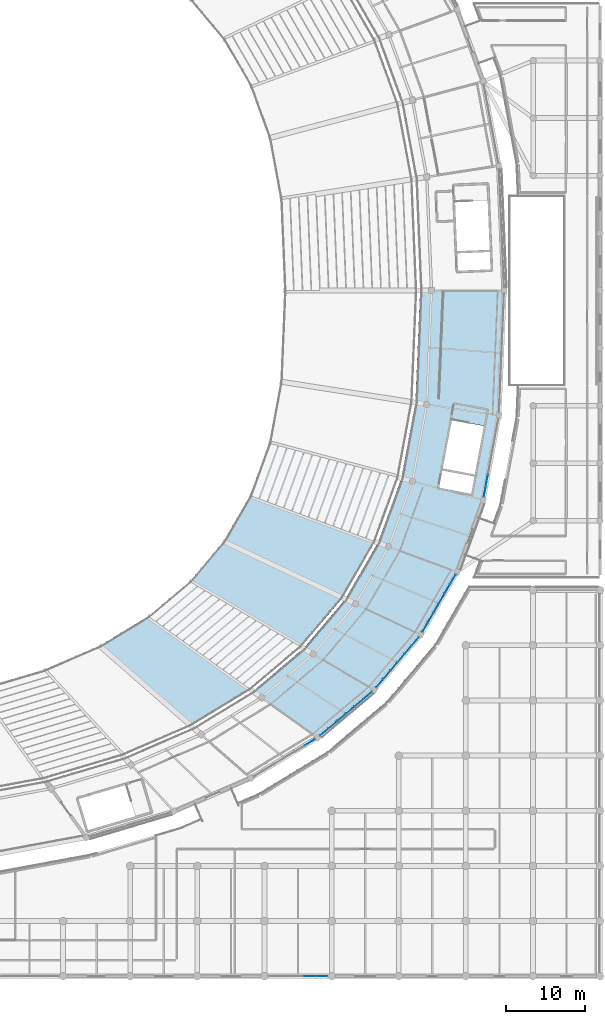
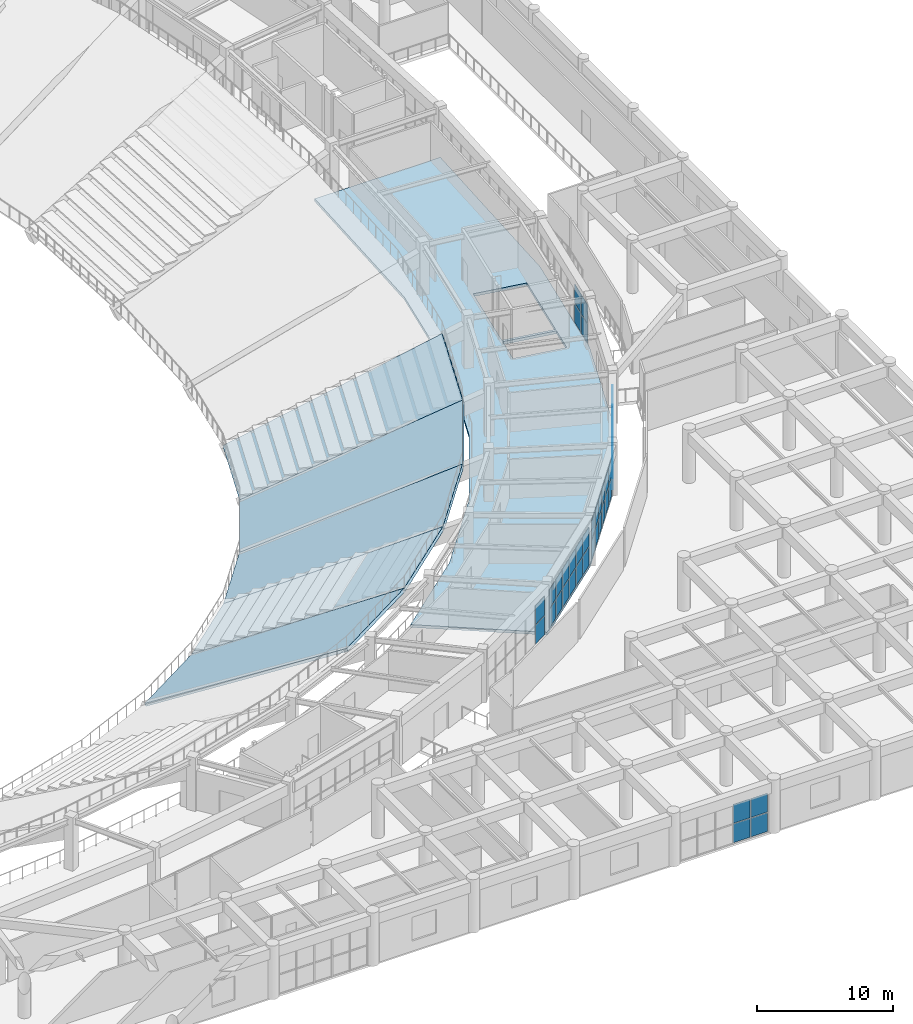
# One storey, part 81 of 137: 46 plates, 6 slabs, 6 elements without a shape of their own.
"""IFC4 building model written with IfcOpenShell, lengths in metres."""

from ifc_helpers import new_model, si_unit, direction, frame, origin, origin_2d, place, context, subcontext, project, spatial, polyline, rectangle, outline, extrude, material, layer, layer_set, type_object, element, aggregate, save


model = new_model("IFC4")

# Units and contexts
model_context = context("Model", 3, precision=1e-05, world=origin(), true_north=direction((0.0, 1.0)))
body_context = subcontext(model_context, "Body", "Model", "MODEL_VIEW")
ifc_project = project(units=[si_unit("LENGTHUNIT", "METRE"), si_unit("AREAUNIT", "SQUARE_METRE"), si_unit("VOLUMEUNIT", "CUBIC_METRE"), si_unit("PLANEANGLEUNIT", "RADIAN"), si_unit("MASSUNIT", "GRAM", prefix="KILO")], contexts=[model_context])

# Site, building, storey
site_placement = place(None, origin())
site = spatial("IfcSite", under=ifc_project, at=site_placement, CompositionType="ELEMENT")
building_placement = place(site_placement, origin())
building = spatial("IfcBuilding", under=site, at=building_placement, Name="Mphavela Belvedere Stadium", CompositionType="ELEMENT")
storey_placement = place(building_placement, frame((0.0, 0.0, 19.199951171875)))
storey = spatial("IfcBuildingStorey", under=building, at=storey_placement, Name="L04", CompositionType="ELEMENT", Elevation=19.199951171875)

# Curtain wall, plates
ifc_material_1 = material(Name="Anodised bronze unitised curtain wall framing")
ifc_layer_1 = layer(ifc_material_1, 0.199951171875)
ifc_layer_set_1 = layer_set([ifc_layer_1], Name="Anodised bronze unitised curtain wall framing")
curtain_wall_type_1 = type_object("IfcCurtainWallType", Name="CW-UNIT-05", PredefinedType="USERDEFINED", material=ifc_layer_set_1)
curtain_wall_1_placement = place(storey_placement, origin())
curtain_wall_1 = element("IfcCurtainWall", 1, at=curtain_wall_1_placement, inside=storey, type_object=curtain_wall_type_1, Name="Belvedere colonnade curtain wall L04-42", ObjectType="UNITISED CURTAIN WALL", PredefinedType="USERDEFINED")
ifc_material_2 = material(Name="Solar-control double glazing", Category="glass")
ifc_layer_2 = layer(ifc_material_2, 0.031982421875)
ifc_layer_set_2 = layer_set([ifc_layer_2], Name="Solar-control double glazing")
plate_type = type_object("IfcPlateType", Name="CWP-SOLAR-GLASS", PredefinedType="CURTAIN_PANEL", material=ifc_layer_set_2)
plate_1_placement = place(storey_placement, frame((193.18896484375, 29.697509765625, 0.06005859375), z_axis=(0.0, 0.0, 1.0), x_axis=(0.854327323226, 0.519735341101, 0.0)))
plate_1 = element("IfcPlate", 2, at=plate_1_placement, type_object=plate_type, Name="CW-05 panel 6.1", PredefinedType="CURTAIN_PANEL", context=body_context, shape_type="SweptSolid", body=[
    extrude(rectangle(XDim=1.436767578125, YDim=0.031982421875, at=origin_2d()), origin(), (0.0, 0.0, 1.0), 1.695068359375),
])
plate_2_placement = place(storey_placement, frame((193.18896484375, 29.697509765625, 1.81494140625), z_axis=(0.0, 0.0, 1.0), x_axis=(0.854327323226, 0.519735341101, 0.0)))
plate_2 = element("IfcPlate", 3, at=plate_2_placement, type_object=plate_type, Name="CW-05 panel 6.2", PredefinedType="CURTAIN_PANEL", context=body_context, shape_type="SweptSolid", body=[
    extrude(rectangle(XDim=1.436767578125, YDim=0.031982421875, at=origin_2d()), origin(), (0.0, 0.0, 1.0), 1.695068359375),
])
aggregate(curtain_wall_1, [plate_1, plate_2])

ifc_material_3 = material(Name="Anodised bronze unitised curtain wall framing")
ifc_layer_3 = layer(ifc_material_3, 0.205078125)
ifc_layer_set_3 = layer_set([ifc_layer_3], Name="Anodised bronze unitised curtain wall framing")
curtain_wall_type_2 = type_object("IfcCurtainWallType", Name="CW-UNIT-06", PredefinedType="USERDEFINED", material=ifc_layer_set_3)
curtain_wall_2_placement = place(storey_placement, origin())
curtain_wall_2 = element("IfcCurtainWall", 4, at=curtain_wall_2_placement, inside=storey, type_object=curtain_wall_type_2, Name="Belvedere colonnade curtain wall L04-43", ObjectType="UNITISED CURTAIN WALL", PredefinedType="USERDEFINED")
plate_3_placement = place(storey_placement, frame((194.98828125, 30.988037109375, 0.06005859375), z_axis=(0.0, 0.0, 1.0), x_axis=(0.764253429051, 0.644916038089, 0.0)))
plate_3 = element("IfcPlate", 5, at=plate_3_placement, type_object=plate_type, Name="CW-06 panel 1.1", PredefinedType="CURTAIN_PANEL", context=body_context, shape_type="SweptSolid", body=[
    extrude(rectangle(XDim=1.352783203125, YDim=0.031982421875, at=origin_2d()), origin(), (0.0, 0.0, 1.0), 1.695068359375),
])
plate_4_placement = place(storey_placement, frame((194.98828125, 30.988037109375, 1.81494140625), z_axis=(0.0, 0.0, 1.0), x_axis=(0.764253429051, 0.644916038089, 0.0)))
plate_4 = element("IfcPlate", 6, at=plate_4_placement, type_object=plate_type, Name="CW-06 panel 1.2", PredefinedType="CURTAIN_PANEL", context=body_context, shape_type="SweptSolid", body=[
    extrude(rectangle(XDim=1.352783203125, YDim=0.031982421875, at=origin_2d()), origin(), (0.0, 0.0, 1.0), 1.695068359375),
])
plate_5_placement = place(storey_placement, frame((196.084228515625, 31.912841796875, 0.06005859375), z_axis=(0.0, 0.0, 1.0), x_axis=(0.764253429051, 0.644916038089, 0.0)))
plate_5 = element("IfcPlate", 7, at=plate_5_placement, type_object=plate_type, Name="CW-06 panel 2.1", PredefinedType="CURTAIN_PANEL", context=body_context, shape_type="SweptSolid", body=[
    extrude(rectangle(XDim=1.38525390625, YDim=0.031982421875, at=origin_2d()), origin(), (0.0, 0.0, 1.0), 1.695068359375),
])
plate_6_placement = place(storey_placement, frame((196.084228515625, 31.912841796875, 1.81494140625), z_axis=(0.0, 0.0, 1.0), x_axis=(0.764253429051, 0.644916038089, 0.0)))
plate_6 = element("IfcPlate", 8, at=plate_6_placement, type_object=plate_type, Name="CW-06 panel 2.2", PredefinedType="CURTAIN_PANEL", context=body_context, shape_type="SweptSolid", body=[
    extrude(rectangle(XDim=1.38525390625, YDim=0.031982421875, at=origin_2d()), origin(), (0.0, 0.0, 1.0), 1.695068359375),
])
plate_7_placement = place(storey_placement, frame((197.192626953125, 32.848388671875, 0.06005859375), z_axis=(0.0, 0.0, 1.0), x_axis=(0.764253429051, 0.644916038089, 0.0)))
plate_7 = element("IfcPlate", 9, at=plate_7_placement, type_object=plate_type, Name="CW-06 panel 3.1", PredefinedType="CURTAIN_PANEL", context=body_context, shape_type="SweptSolid", body=[
    extrude(rectangle(XDim=1.38525390625, YDim=0.031982421875, at=origin_2d()), origin(), (0.0, 0.0, 1.0), 1.695068359375),
])
plate_8_placement = place(storey_placement, frame((197.192626953125, 32.848388671875, 1.81494140625), z_axis=(0.0, 0.0, 1.0), x_axis=(0.764253429051, 0.644916038089, 0.0)))
plate_8 = element("IfcPlate", 10, at=plate_8_placement, type_object=plate_type, Name="CW-06 panel 3.2", PredefinedType="CURTAIN_PANEL", context=body_context, shape_type="SweptSolid", body=[
    extrude(rectangle(XDim=1.38525390625, YDim=0.031982421875, at=origin_2d()), origin(), (0.0, 0.0, 1.0), 1.695068359375),
])
plate_9_placement = place(storey_placement, frame((198.30126953125, 33.78369140625, 0.06005859375), z_axis=(0.0, 0.0, 1.0), x_axis=(0.764253429051, 0.644916038089, 0.0)))
plate_9 = element("IfcPlate", 11, at=plate_9_placement, type_object=plate_type, Name="CW-06 panel 4.1", PredefinedType="CURTAIN_PANEL", context=body_context, shape_type="SweptSolid", body=[
    extrude(rectangle(XDim=1.38525390625, YDim=0.031982421875, at=origin_2d()), origin(), (0.0, 0.0, 1.0), 1.695068359375),
])
plate_10_placement = place(storey_placement, frame((198.30126953125, 33.78369140625, 1.81494140625), z_axis=(0.0, 0.0, 1.0), x_axis=(0.764253429051, 0.644916038089, 0.0)))
plate_10 = element("IfcPlate", 12, at=plate_10_placement, type_object=plate_type, Name="CW-06 panel 4.2", PredefinedType="CURTAIN_PANEL", context=body_context, shape_type="SweptSolid", body=[
    extrude(rectangle(XDim=1.38525390625, YDim=0.031982421875, at=origin_2d()), origin(), (0.0, 0.0, 1.0), 1.695068359375),
])
plate_11_placement = place(storey_placement, frame((199.40966796875, 34.718994140625, 0.06005859375), z_axis=(0.0, 0.0, 1.0), x_axis=(0.764253429051, 0.644916038089, 0.0)))
plate_11 = element("IfcPlate", 13, at=plate_11_placement, type_object=plate_type, Name="CW-06 panel 5.1", PredefinedType="CURTAIN_PANEL", context=body_context, shape_type="SweptSolid", body=[
    extrude(rectangle(XDim=1.38525390625, YDim=0.031982421875, at=origin_2d()), origin(), (0.0, 0.0, 1.0), 1.695068359375),
])
plate_12_placement = place(storey_placement, frame((199.40966796875, 34.718994140625, 1.81494140625), z_axis=(0.0, 0.0, 1.0), x_axis=(0.764253429051, 0.644916038089, 0.0)))
plate_12 = element("IfcPlate", 14, at=plate_12_placement, type_object=plate_type, Name="CW-06 panel 5.2", PredefinedType="CURTAIN_PANEL", context=body_context, shape_type="SweptSolid", body=[
    extrude(rectangle(XDim=1.38525390625, YDim=0.031982421875, at=origin_2d()), origin(), (0.0, 0.0, 1.0), 1.695068359375),
])
plate_13_placement = place(storey_placement, frame((200.505615234375, 35.64404296875, 0.06005859375), z_axis=(0.0, 0.0, 1.0), x_axis=(0.764253429051, 0.644916038089, 0.0)))
plate_13 = element("IfcPlate", 15, at=plate_13_placement, type_object=plate_type, Name="CW-06 panel 6.1", PredefinedType="CURTAIN_PANEL", context=body_context, shape_type="SweptSolid", body=[
    extrude(rectangle(XDim=1.352783203125, YDim=0.031982421875, at=origin_2d()), origin(), (0.0, 0.0, 1.0), 1.695068359375),
])
plate_14_placement = place(storey_placement, frame((200.505615234375, 35.64404296875, 1.81494140625), z_axis=(0.0, 0.0, 1.0), x_axis=(0.764253429051, 0.644916038089, 0.0)))
plate_14 = element("IfcPlate", 16, at=plate_14_placement, type_object=plate_type, Name="CW-06 panel 6.2", PredefinedType="CURTAIN_PANEL", context=body_context, shape_type="SweptSolid", body=[
    extrude(rectangle(XDim=1.352783203125, YDim=0.031982421875, at=origin_2d()), origin(), (0.0, 0.0, 1.0), 1.695068359375),
])
aggregate(curtain_wall_2, [plate_3, plate_4, plate_5, plate_6, plate_7, plate_8, plate_9, plate_10, plate_11, plate_12, plate_13, plate_14])

ifc_material_4 = material(Name="Anodised bronze unitised curtain wall framing")
ifc_layer_4 = layer(ifc_material_4, 0.179931640625)
ifc_layer_set_4 = layer_set([ifc_layer_4], Name="Anodised bronze unitised curtain wall framing")
curtain_wall_type_3 = type_object("IfcCurtainWallType", Name="CW-UNIT-01", PredefinedType="USERDEFINED", material=ifc_layer_set_4)
curtain_wall_3_placement = place(storey_placement, origin())
curtain_wall_3 = element("IfcCurtainWall", 17, at=curtain_wall_3_placement, inside=storey, type_object=curtain_wall_type_3, Name="Belvedere colonnade curtain wall L04-44", ObjectType="UNITISED CURTAIN WALL", PredefinedType="USERDEFINED")
plate_15_placement = place(storey_placement, frame((202.02783203125, 37.1630859375, 0.06005859375), z_axis=(0.0, 0.0, 1.0), x_axis=(0.645175294774, 0.764034579723, 0.0)))
plate_15 = element("IfcPlate", 18, at=plate_15_placement, type_object=plate_type, Name="CW-01 panel 1.1", PredefinedType="CURTAIN_PANEL", context=body_context, shape_type="SweptSolid", body=[
    extrude(rectangle(XDim=1.311767578125, YDim=0.031982421875, at=origin_2d()), origin(), (0.0, 0.0, 1.0), 1.695068359375),
])
plate_16_placement = place(storey_placement, frame((202.02783203125, 37.1630859375, 1.81494140625), z_axis=(0.0, 0.0, 1.0), x_axis=(0.645175294774, 0.764034579723, 0.0)))
plate_16 = element("IfcPlate", 19, at=plate_16_placement, type_object=plate_type, Name="CW-01 panel 1.2", PredefinedType="CURTAIN_PANEL", context=body_context, shape_type="SweptSolid", body=[
    extrude(rectangle(XDim=1.311767578125, YDim=0.031982421875, at=origin_2d()), origin(), (0.0, 0.0, 1.0), 1.695068359375),
])
plate_17_placement = place(storey_placement, frame((202.926513671875, 38.2275390625, 0.06005859375), z_axis=(0.0, 0.0, 1.0), x_axis=(0.645175294774, 0.764034579723, 0.0)))
plate_17 = element("IfcPlate", 20, at=plate_17_placement, type_object=plate_type, Name="CW-01 panel 2.1", PredefinedType="CURTAIN_PANEL", context=body_context, shape_type="SweptSolid", body=[
    extrude(rectangle(XDim=1.34423828125, YDim=0.031982421875, at=origin_2d()), origin(), (0.0, 0.0, 1.0), 1.695068359375),
])
plate_18_placement = place(storey_placement, frame((202.926513671875, 38.2275390625, 1.81494140625), z_axis=(0.0, 0.0, 1.0), x_axis=(0.645175294774, 0.764034579723, 0.0)))
plate_18 = element("IfcPlate", 21, at=plate_18_placement, type_object=plate_type, Name="CW-01 panel 2.2", PredefinedType="CURTAIN_PANEL", context=body_context, shape_type="SweptSolid", body=[
    extrude(rectangle(XDim=1.34423828125, YDim=0.031982421875, at=origin_2d()), origin(), (0.0, 0.0, 1.0), 1.695068359375),
])
plate_19_placement = place(storey_placement, frame((203.835693359375, 39.30419921875, 0.06005859375), z_axis=(0.0, 0.0, 1.0), x_axis=(0.645175294774, 0.764034579723, 0.0)))
plate_19 = element("IfcPlate", 22, at=plate_19_placement, type_object=plate_type, Name="CW-01 panel 3.1", PredefinedType="CURTAIN_PANEL", context=body_context, shape_type="SweptSolid", body=[
    extrude(rectangle(XDim=1.34423828125, YDim=0.031982421875, at=origin_2d()), origin(), (0.0, 0.0, 1.0), 1.695068359375),
])
plate_20_placement = place(storey_placement, frame((203.835693359375, 39.30419921875, 1.81494140625), z_axis=(0.0, 0.0, 1.0), x_axis=(0.645175294774, 0.764034579723, 0.0)))
plate_20 = element("IfcPlate", 23, at=plate_20_placement, type_object=plate_type, Name="CW-01 panel 3.2", PredefinedType="CURTAIN_PANEL", context=body_context, shape_type="SweptSolid", body=[
    extrude(rectangle(XDim=1.34423828125, YDim=0.031982421875, at=origin_2d()), origin(), (0.0, 0.0, 1.0), 1.695068359375),
])
plate_21_placement = place(storey_placement, frame((204.7451171875, 40.380859375, 0.06005859375), z_axis=(0.0, 0.0, 1.0), x_axis=(0.645175294774, 0.764034579723, 0.0)))
plate_21 = element("IfcPlate", 24, at=plate_21_placement, type_object=plate_type, Name="CW-01 panel 4.1", PredefinedType="CURTAIN_PANEL", context=body_context, shape_type="SweptSolid", body=[
    extrude(rectangle(XDim=1.34423828125, YDim=0.031982421875, at=origin_2d()), origin(), (0.0, 0.0, 1.0), 1.695068359375),
])
plate_22_placement = place(storey_placement, frame((204.7451171875, 40.380859375, 1.81494140625), z_axis=(0.0, 0.0, 1.0), x_axis=(0.645175294774, 0.764034579723, 0.0)))
plate_22 = element("IfcPlate", 25, at=plate_22_placement, type_object=plate_type, Name="CW-01 panel 4.2", PredefinedType="CURTAIN_PANEL", context=body_context, shape_type="SweptSolid", body=[
    extrude(rectangle(XDim=1.34423828125, YDim=0.031982421875, at=origin_2d()), origin(), (0.0, 0.0, 1.0), 1.695068359375),
])
plate_23_placement = place(storey_placement, frame((205.654296875, 41.45751953125, 0.06005859375), z_axis=(0.0, 0.0, 1.0), x_axis=(0.645175294774, 0.764034579723, 0.0)))
plate_23 = element("IfcPlate", 26, at=plate_23_placement, type_object=plate_type, Name="CW-01 panel 5.1", PredefinedType="CURTAIN_PANEL", context=body_context, shape_type="SweptSolid", body=[
    extrude(rectangle(XDim=1.34423828125, YDim=0.031982421875, at=origin_2d()), origin(), (0.0, 0.0, 1.0), 1.695068359375),
])
plate_24_placement = place(storey_placement, frame((205.654296875, 41.45751953125, 1.81494140625), z_axis=(0.0, 0.0, 1.0), x_axis=(0.645175294774, 0.764034579723, 0.0)))
plate_24 = element("IfcPlate", 27, at=plate_24_placement, type_object=plate_type, Name="CW-01 panel 5.2", PredefinedType="CURTAIN_PANEL", context=body_context, shape_type="SweptSolid", body=[
    extrude(rectangle(XDim=1.34423828125, YDim=0.031982421875, at=origin_2d()), origin(), (0.0, 0.0, 1.0), 1.695068359375),
])
plate_25_placement = place(storey_placement, frame((206.552978515625, 42.521728515625, 0.06005859375), z_axis=(0.0, 0.0, 1.0), x_axis=(0.645175294774, 0.764034579723, 0.0)))
plate_25 = element("IfcPlate", 28, at=plate_25_placement, type_object=plate_type, Name="CW-01 panel 6.1", PredefinedType="CURTAIN_PANEL", context=body_context, shape_type="SweptSolid", body=[
    extrude(rectangle(XDim=1.311767578125, YDim=0.031982421875, at=origin_2d()), origin(), (0.0, 0.0, 1.0), 1.695068359375),
])
plate_26_placement = place(storey_placement, frame((206.552978515625, 42.521728515625, 1.81494140625), z_axis=(0.0, 0.0, 1.0), x_axis=(0.645175294774, 0.764034579723, 0.0)))
plate_26 = element("IfcPlate", 29, at=plate_26_placement, type_object=plate_type, Name="CW-01 panel 6.2", PredefinedType="CURTAIN_PANEL", context=body_context, shape_type="SweptSolid", body=[
    extrude(rectangle(XDim=1.311767578125, YDim=0.031982421875, at=origin_2d()), origin(), (0.0, 0.0, 1.0), 1.695068359375),
])
aggregate(curtain_wall_3, [plate_15, plate_16, plate_17, plate_18, plate_19, plate_20, plate_21, plate_22, plate_23, plate_24, plate_25, plate_26])

ifc_material_5 = material(Name="Anodised bronze unitised curtain wall framing")
ifc_layer_5 = layer(ifc_material_5, 0.18505859375)
ifc_layer_set_5 = layer_set([ifc_layer_5], Name="Anodised bronze unitised curtain wall framing")
curtain_wall_type_4 = type_object("IfcCurtainWallType", Name="CW-UNIT-02", PredefinedType="USERDEFINED", material=ifc_layer_set_5)
curtain_wall_4_placement = place(storey_placement, origin())
curtain_wall_4 = element("IfcCurtainWall", 30, at=curtain_wall_4_placement, inside=storey, type_object=curtain_wall_type_4, Name="Belvedere colonnade curtain wall L04-45", ObjectType="UNITISED CURTAIN WALL", PredefinedType="USERDEFINED")
plate_27_placement = place(storey_placement, frame((207.7802734375, 44.2685546875, 0.06005859375), z_axis=(0.0, 0.0, 1.0), x_axis=(0.500555998906, 0.865704159606, 0.0)))
plate_27 = element("IfcPlate", 31, at=plate_27_placement, type_object=plate_type, Name="CW-02 panel 1.1", PredefinedType="CURTAIN_PANEL", context=body_context, shape_type="SweptSolid", body=[
    extrude(rectangle(XDim=1.32275390625, YDim=0.031982421875, at=origin_2d()), origin(), (0.0, 0.0, 1.0), 1.695068359375),
])
plate_28_placement = place(storey_placement, frame((207.7802734375, 44.2685546875, 1.81494140625), z_axis=(0.0, 0.0, 1.0), x_axis=(0.500555998906, 0.865704159606, 0.0)))
plate_28 = element("IfcPlate", 32, at=plate_28_placement, type_object=plate_type, Name="CW-02 panel 1.2", PredefinedType="CURTAIN_PANEL", context=body_context, shape_type="SweptSolid", body=[
    extrude(rectangle(XDim=1.32275390625, YDim=0.031982421875, at=origin_2d()), origin(), (0.0, 0.0, 1.0), 1.695068359375),
])
plate_29_placement = place(storey_placement, frame((208.48291015625, 45.48388671875, 0.06005859375), z_axis=(0.0, 0.0, 1.0), x_axis=(0.500555998906, 0.865704159606, 0.0)))
plate_29 = element("IfcPlate", 33, at=plate_29_placement, type_object=plate_type, Name="CW-02 panel 2.1", PredefinedType="CURTAIN_PANEL", context=body_context, shape_type="SweptSolid", body=[
    extrude(rectangle(XDim=1.355224609375, YDim=0.031982421875, at=origin_2d()), origin(), (0.0, 0.0, 1.0), 1.695068359375),
])
plate_30_placement = place(storey_placement, frame((208.48291015625, 45.48388671875, 1.81494140625), z_axis=(0.0, 0.0, 1.0), x_axis=(0.500555998906, 0.865704159606, 0.0)))
plate_30 = element("IfcPlate", 34, at=plate_30_placement, type_object=plate_type, Name="CW-02 panel 2.2", PredefinedType="CURTAIN_PANEL", context=body_context, shape_type="SweptSolid", body=[
    extrude(rectangle(XDim=1.355224609375, YDim=0.031982421875, at=origin_2d()), origin(), (0.0, 0.0, 1.0), 1.695068359375),
])
plate_31_placement = place(storey_placement, frame((209.19384765625, 46.71337890625, 0.06005859375), z_axis=(0.0, 0.0, 1.0), x_axis=(0.500555998906, 0.865704159606, 0.0)))
plate_31 = element("IfcPlate", 35, at=plate_31_placement, type_object=plate_type, Name="CW-02 panel 3.1", PredefinedType="CURTAIN_PANEL", context=body_context, shape_type="SweptSolid", body=[
    extrude(rectangle(XDim=1.355224609375, YDim=0.031982421875, at=origin_2d()), origin(), (0.0, 0.0, 1.0), 1.695068359375),
])
plate_32_placement = place(storey_placement, frame((209.19384765625, 46.71337890625, 1.81494140625), z_axis=(0.0, 0.0, 1.0), x_axis=(0.500555998906, 0.865704159606, 0.0)))
plate_32 = element("IfcPlate", 36, at=plate_32_placement, type_object=plate_type, Name="CW-02 panel 3.2", PredefinedType="CURTAIN_PANEL", context=body_context, shape_type="SweptSolid", body=[
    extrude(rectangle(XDim=1.355224609375, YDim=0.031982421875, at=origin_2d()), origin(), (0.0, 0.0, 1.0), 1.695068359375),
])
plate_33_placement = place(storey_placement, frame((209.90478515625, 47.94287109375, 0.06005859375), z_axis=(0.0, 0.0, 1.0), x_axis=(0.500555998906, 0.865704159606, 0.0)))
plate_33 = element("IfcPlate", 37, at=plate_33_placement, type_object=plate_type, Name="CW-02 panel 4.1", PredefinedType="CURTAIN_PANEL", context=body_context, shape_type="SweptSolid", body=[
    extrude(rectangle(XDim=1.355224609375, YDim=0.031982421875, at=origin_2d()), origin(), (0.0, 0.0, 1.0), 1.695068359375),
])
plate_34_placement = place(storey_placement, frame((209.90478515625, 47.94287109375, 1.81494140625), z_axis=(0.0, 0.0, 1.0), x_axis=(0.500555998906, 0.865704159606, 0.0)))
plate_34 = element("IfcPlate", 38, at=plate_34_placement, type_object=plate_type, Name="CW-02 panel 4.2", PredefinedType="CURTAIN_PANEL", context=body_context, shape_type="SweptSolid", body=[
    extrude(rectangle(XDim=1.355224609375, YDim=0.031982421875, at=origin_2d()), origin(), (0.0, 0.0, 1.0), 1.695068359375),
])
plate_35_placement = place(storey_placement, frame((210.615478515625, 49.17236328125, 0.06005859375), z_axis=(0.0, 0.0, 1.0), x_axis=(0.500555998906, 0.865704159606, 0.0)))
plate_35 = element("IfcPlate", 39, at=plate_35_placement, type_object=plate_type, Name="CW-02 panel 5.1", PredefinedType="CURTAIN_PANEL", context=body_context, shape_type="SweptSolid", body=[
    extrude(rectangle(XDim=1.355224609375, YDim=0.031982421875, at=origin_2d()), origin(), (0.0, 0.0, 1.0), 1.695068359375),
])
plate_36_placement = place(storey_placement, frame((210.615478515625, 49.17236328125, 1.81494140625), z_axis=(0.0, 0.0, 1.0), x_axis=(0.500555998906, 0.865704159606, 0.0)))
plate_36 = element("IfcPlate", 40, at=plate_36_placement, type_object=plate_type, Name="CW-02 panel 5.2", PredefinedType="CURTAIN_PANEL", context=body_context, shape_type="SweptSolid", body=[
    extrude(rectangle(XDim=1.355224609375, YDim=0.031982421875, at=origin_2d()), origin(), (0.0, 0.0, 1.0), 1.695068359375),
])
plate_37_placement = place(storey_placement, frame((211.318359375, 50.3876953125, 0.06005859375), z_axis=(0.0, 0.0, 1.0), x_axis=(0.500555998906, 0.865704159606, 0.0)))
plate_37 = element("IfcPlate", 41, at=plate_37_placement, type_object=plate_type, Name="CW-02 panel 6.1", PredefinedType="CURTAIN_PANEL", context=body_context, shape_type="SweptSolid", body=[
    extrude(rectangle(XDim=1.32275390625, YDim=0.031982421875, at=origin_2d()), origin(), (0.0, 0.0, 1.0), 1.695068359375),
])
plate_38_placement = place(storey_placement, frame((211.318359375, 50.3876953125, 1.81494140625), z_axis=(0.0, 0.0, 1.0), x_axis=(0.500555998906, 0.865704159606, 0.0)))
plate_38 = element("IfcPlate", 42, at=plate_38_placement, type_object=plate_type, Name="CW-02 panel 6.2", PredefinedType="CURTAIN_PANEL", context=body_context, shape_type="SweptSolid", body=[
    extrude(rectangle(XDim=1.32275390625, YDim=0.031982421875, at=origin_2d()), origin(), (0.0, 0.0, 1.0), 1.695068359375),
])
aggregate(curtain_wall_4, [plate_27, plate_28, plate_29, plate_30, plate_31, plate_32, plate_33, plate_34, plate_35, plate_36, plate_37, plate_38])

ifc_material_6 = material(Name="Anodised bronze unitised curtain wall framing")
ifc_layer_6 = layer(ifc_material_6, 0.18994140625)
ifc_layer_set_6 = layer_set([ifc_layer_6], Name="Anodised bronze unitised curtain wall framing")
curtain_wall_type_5 = type_object("IfcCurtainWallType", Name="CW-UNIT-03", PredefinedType="USERDEFINED", material=ifc_layer_set_6)
curtain_wall_5_placement = place(storey_placement, origin())
curtain_wall_5 = element("IfcCurtainWall", 43, at=curtain_wall_5_placement, inside=storey, type_object=curtain_wall_type_5, Name="Belvedere colonnade curtain wall L04-47", ObjectType="UNITISED CURTAIN WALL", PredefinedType="USERDEFINED")
plate_39_placement = place(storey_placement, frame((215.3642578125, 61.51220703125, 0.06005859375), z_axis=(0.0, 0.0, 1.0), x_axis=(0.182618040183, 0.98318393569, 0.0)))
plate_39 = element("IfcPlate", 44, at=plate_39_placement, type_object=plate_type, Name="CW-03 panel 1.1", PredefinedType="CURTAIN_PANEL", context=body_context, shape_type="SweptSolid", body=[
    extrude(rectangle(XDim=1.3603515625, YDim=0.031982421875, at=origin_2d()), origin(), (0.0, 0.0, 1.0), 1.695068359375),
])
plate_40_placement = place(storey_placement, frame((215.3642578125, 61.51220703125, 1.81494140625), z_axis=(0.0, 0.0, 1.0), x_axis=(0.182618040183, 0.98318393569, 0.0)))
plate_40 = element("IfcPlate", 45, at=plate_40_placement, type_object=plate_type, Name="CW-03 panel 1.2", PredefinedType="CURTAIN_PANEL", context=body_context, shape_type="SweptSolid", body=[
    extrude(rectangle(XDim=1.3603515625, YDim=0.031982421875, at=origin_2d()), origin(), (0.0, 0.0, 1.0), 1.695068359375),
])
plate_41_placement = place(storey_placement, frame((215.62744140625, 62.9296875, 0.06005859375), z_axis=(0.0, 0.0, 1.0), x_axis=(0.182618040183, 0.98318393569, 0.0)))
plate_41 = element("IfcPlate", 46, at=plate_41_placement, type_object=plate_type, Name="CW-03 panel 2.1", PredefinedType="CURTAIN_PANEL", context=body_context, shape_type="SweptSolid", body=[
    extrude(rectangle(XDim=1.392822265625, YDim=0.031982421875, at=origin_2d()), origin(), (0.0, 0.0, 1.0), 1.695068359375),
])
plate_42_placement = place(storey_placement, frame((215.62744140625, 62.9296875, 1.81494140625), z_axis=(0.0, 0.0, 1.0), x_axis=(0.182618040183, 0.98318393569, 0.0)))
plate_42 = element("IfcPlate", 47, at=plate_42_placement, type_object=plate_type, Name="CW-03 panel 2.2", PredefinedType="CURTAIN_PANEL", context=body_context, shape_type="SweptSolid", body=[
    extrude(rectangle(XDim=1.392822265625, YDim=0.031982421875, at=origin_2d()), origin(), (0.0, 0.0, 1.0), 1.695068359375),
])
aggregate(curtain_wall_5, [plate_39, plate_40, plate_41, plate_42])

curtain_wall_6_placement = place(storey_placement, origin())
curtain_wall_6 = element("IfcCurtainWall", 48, at=curtain_wall_6_placement, inside=storey, type_object=curtain_wall_type_2, Name="South Axial Triumphal Peristyle Portico gallery curtain wall L04-23", ObjectType="UNITISED CURTAIN WALL", PredefinedType="USERDEFINED")
plate_43_placement = place(storey_placement, frame((194.679443359375, 0.0, 0.06005859375), z_axis=(0.0, 0.0, 1.0), x_axis=(-1.0, 0.0, 0.0)))
plate_43 = element("IfcPlate", 49, at=plate_43_placement, type_object=plate_type, Name="CW-06 panel 1.1", PredefinedType="CURTAIN_PANEL", context=body_context, shape_type="SweptSolid", body=[
    extrude(rectangle(XDim=1.4169921875, YDim=0.031982421875, at=origin_2d()), origin(), (0.0, 0.0, 1.0), 1.68994140625),
])
plate_44_placement = place(storey_placement, frame((194.679443359375, 0.0, 1.81005859375), z_axis=(0.0, 0.0, 1.0), x_axis=(-1.0, 0.0, 0.0)))
plate_44 = element("IfcPlate", 50, at=plate_44_placement, type_object=plate_type, Name="CW-06 panel 1.2", PredefinedType="CURTAIN_PANEL", context=body_context, shape_type="SweptSolid", body=[
    extrude(rectangle(XDim=1.4169921875, YDim=0.031982421875, at=origin_2d()), origin(), (0.0, 0.0, 1.0), 1.68994140625),
])
plate_45_placement = place(storey_placement, frame((193.18115234375, 0.0, 0.06005859375), z_axis=(0.0, 0.0, 1.0), x_axis=(-1.0, 0.0, 0.0)))
plate_45 = element("IfcPlate", 51, at=plate_45_placement, type_object=plate_type, Name="CW-06 panel 2.1", PredefinedType="CURTAIN_PANEL", context=body_context, shape_type="SweptSolid", body=[
    extrude(rectangle(XDim=1.44970703125, YDim=0.031982421875, at=origin_2d()), origin(), (0.0, 0.0, 1.0), 1.68994140625),
])
plate_46_placement = place(storey_placement, frame((193.18115234375, 0.0, 1.81005859375), z_axis=(0.0, 0.0, 1.0), x_axis=(-1.0, 0.0, 0.0)))
plate_46 = element("IfcPlate", 52, at=plate_46_placement, type_object=plate_type, Name="CW-06 panel 2.2", PredefinedType="CURTAIN_PANEL", context=body_context, shape_type="SweptSolid", body=[
    extrude(rectangle(XDim=1.44970703125, YDim=0.031982421875, at=origin_2d()), origin(), (0.0, 0.0, 1.0), 1.68994140625),
])
aggregate(curtain_wall_6, [plate_43, plate_44, plate_45, plate_46])

# Slabs
ifc_material_7 = material(Name="Concrete C40/50", Category="concrete")
ifc_layer_7 = layer(ifc_material_7, 0.25)
ifc_layer_set_7 = layer_set([ifc_layer_7], Name="Concrete C40/50")
slab_type_1 = type_object("IfcSlabType", Name="SLB-CONCOURSE-250", PredefinedType="FLOOR", material=ifc_layer_set_7)
slab_1_placement = place(storey_placement, frame((0.0, 0.0, -0.25)))
element("IfcSlab", 53, at=slab_1_placement, inside=storey, type_object=slab_type_1, Name="Concourse sector slab L04-S8", PredefinedType="FLOOR", context=body_context, shape_type="SweptSolid", body=[
    extrude(outline(polyline([(217.820068359375, 87.0), (217.155517578125, 71.155029296875), (215.16455078125, 60.4375), (211.856201171875, 51.317626953125), (207.242431640625, 43.33837890625), (201.33837890625, 36.346435546875), (194.155517578125, 30.285400390625), (185.94140625, 36.1708984375), (192.378662109375, 41.60302734375), (197.670166015625, 47.869384765625), (201.804931640625, 55.0205078125), (204.770263671875, 63.194091796875), (206.554443359375, 72.79931640625), (207.14990234375, 87.0), (217.820068359375, 87.0)]), holes=[polyline([(214.12451171875, 63.646728515625), (215.27392578125, 69.8369140625), (211.154541015625, 70.601806640625), (210.0048828125, 64.41162109375), (214.12451171875, 63.646728515625)]), polyline([(213.671875, 61.20849609375), (214.08447265625, 63.430419921875), (209.96484375, 64.1953125), (209.55224609375, 61.973388671875), (213.671875, 61.20849609375)])]), origin(), (0.0, 0.0, 1.0), 0.25),
])
ifc_material_8 = material(Name="Precast concrete C45/55", Category="concrete")
ifc_layer_8 = layer(ifc_material_8, 0.25)
ifc_layer_set_8 = layer_set([ifc_layer_8], Name="Precast concrete C45/55")
slab_type_2 = type_object("IfcSlabType", Name="SLB-TIER-UPPER", PredefinedType="USERDEFINED", material=ifc_layer_set_8)
slab_2_placement = place(storey_placement, frame((166.62158203125, 41.829833984375, -3.75), z_axis=(-0.226551553649, 0.372390181398, 0.899999970187), x_axis=(0.854326477415, 0.519736731401, 4.594551e-06)))
element("IfcSlab", 54, at=slab_2_placement, inside=storey, type_object=slab_type_2, Name="Upper seating tier slab L04-42", ObjectType="SEATING TIER", PredefinedType="USERDEFINED", context=body_context, shape_type="SweptSolid", body=[
    extrude(outline(polyline([(0.0, 0.0), (7.230249505563686, -4.440892098500626e-16), (13.38426207244686, -16.058958025546808), (4.556733439499255, -16.059127284525168), (0.0, 0.0)])), origin(), (0.0, 0.0, -1.0), 0.25),
])
slab_3_placement = place(storey_placement, frame((172.798583984375, 45.587646484375, -3.75), z_axis=(-0.26936235005, 0.319213787463, 0.908595885017), x_axis=(0.76424909441, 0.644921174734, -8.583252e-06)))
element("IfcSlab", 55, at=slab_3_placement, inside=storey, type_object=slab_type_2, Name="Upper seating tier slab L04-43", ObjectType="SEATING TIER", PredefinedType="USERDEFINED", context=body_context, shape_type="SweptSolid", body=[
    extrude(outline(polyline([(0.0, 0.0), (6.8624829349822045, 4.440892098500626e-16), (12.236996630674179, -16.75964020480697), (3.858362612977673, -16.75932699972067), (0.0, 0.0)])), origin(), (0.0, 0.0, -1.0), 0.25),
])
slab_4_placement = place(storey_placement, frame((178.043212890625, 50.013427734375, -3.75), z_axis=(-0.307633638893, 0.259771421762, 0.915358046153), x_axis=(0.645178517951, 0.764031857939, 5.43307e-06)))
element("IfcSlab", 56, at=slab_4_placement, inside=storey, type_object=slab_type_2, Name="Upper seating tier slab L04-44", ObjectType="SEATING TIER", PredefinedType="USERDEFINED", context=body_context, shape_type="SweptSolid", body=[
    extrude(outline(polyline([(0.0, 0.0), (6.682285561940349, 4.440892098500626e-16), (10.901551314644172, -17.385073862686518), (2.7428417746616116, -17.385274120978465), (0.0, 0.0)])), origin(), (0.0, 0.0, -1.0), 0.25),
])
slab_5_placement = place(storey_placement, frame((182.3544921875, 55.118896484375, -3.75), z_axis=(-0.339708917201, 0.196414847885, 0.919792943605), x_axis=(0.500533096558, 0.865717401482, -4.561319e-06)))
element("IfcSlab", 57, at=slab_5_placement, inside=storey, type_object=slab_type_2, Name="Upper seating tier slab L04-45", ObjectType="SEATING TIER", PredefinedType="USERDEFINED", context=body_context, shape_type="SweptSolid", body=[
    extrude(outline(polyline([(0.0, 0.0), (6.730151721846243, 0.0), (9.567579091327396, -17.838866815507657), (1.3505651741637694, -17.838693069106846), (0.0, 0.0)])), origin(), (0.0, 0.0, -1.0), 0.25),
])
slab_6_placement = place(storey_placement, frame((185.72314453125, 60.9453125, -3.75), z_axis=(-0.364303562407, 0.132165132408, 0.921854268414), x_axis=(0.341054048272, 0.940043688406, 6.732313e-06)))
element("IfcSlab", 58, at=slab_6_placement, inside=storey, type_object=slab_type_2, Name="Upper seating tier slab L04-46", ObjectType="SEATING TIER", PredefinedType="USERDEFINED", context=body_context, shape_type="SweptSolid", body=[
    extrude(outline(polyline([(0.0, 0.0), (7.083911744790468, 0.0), (8.566628638055763, -18.062655749768563), (-0.08220165209820116, -18.06292905996507), (0.0, 0.0)])), origin(), (0.0, 0.0, -1.0), 0.25),
])

save(model, "model.ifc")
